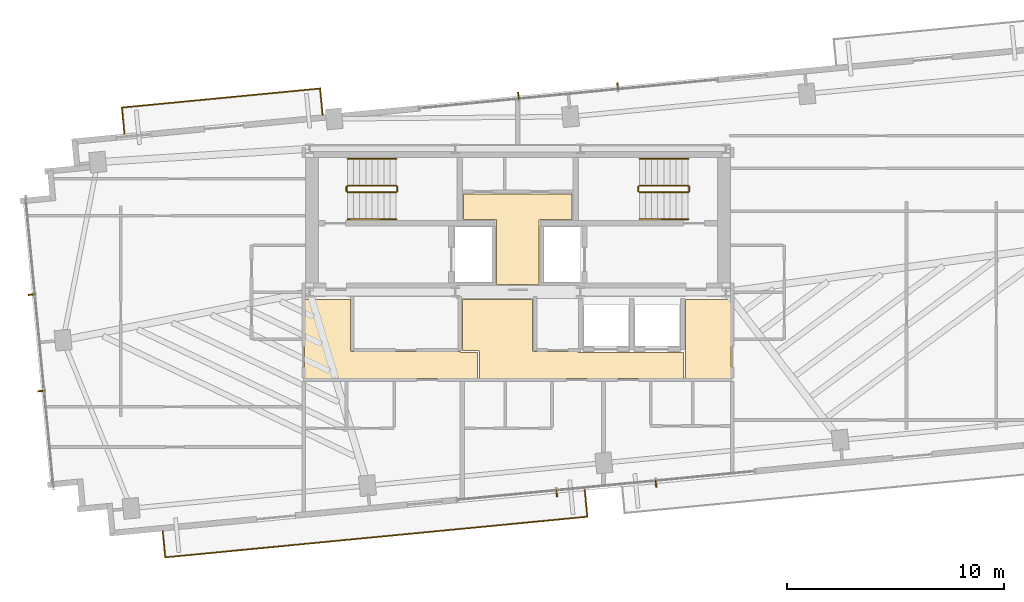
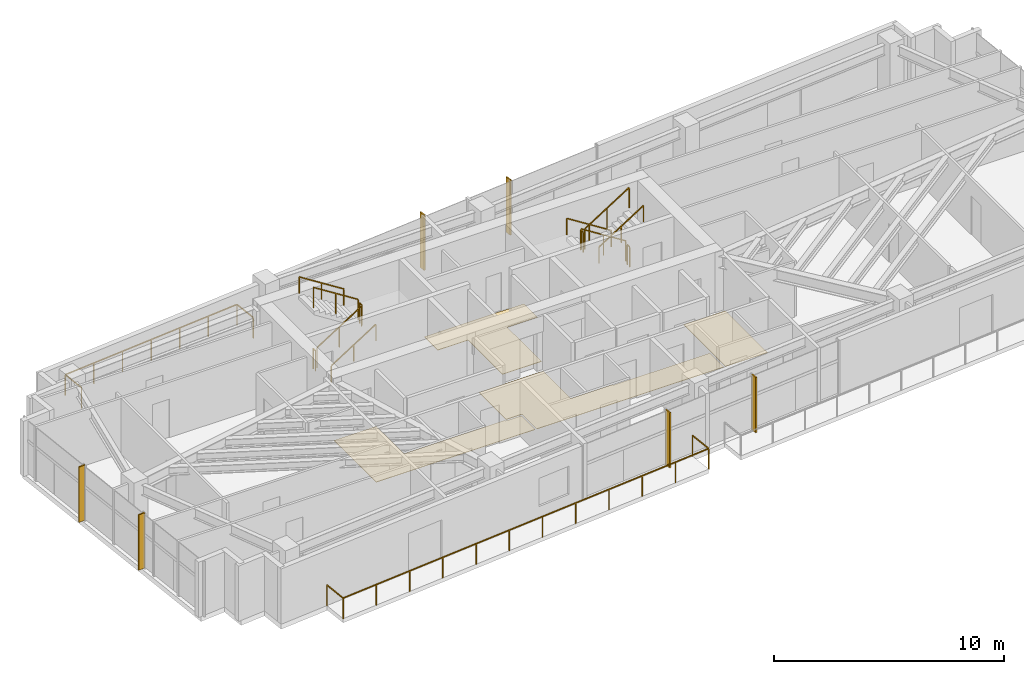
# One storey, part 17 of 18: 14 railings, 6 shading devices, 4 coverings.
"""IFC4 building model written with IfcOpenShell, lengths in metres."""

from ifc_helpers import new_model, si_unit, direction, frame, origin, origin_2d, place, context, subcontext, project, spatial, polyline, rectangle, outline, extrude, source, transform, mapped, material, layer, layer_set, type_object, type_shapes, element, save


model = new_model("IFC4")

# Units and contexts
model_context = context("Model", 3, precision=1e-05, world=origin(), true_north=direction((0.0, 1.0)))
body_context = subcontext(model_context, "Body", "Model", "MODEL_VIEW")
ifc_project = project(units=[si_unit("LENGTHUNIT", "METRE"), si_unit("AREAUNIT", "SQUARE_METRE"), si_unit("VOLUMEUNIT", "CUBIC_METRE"), si_unit("PLANEANGLEUNIT", "RADIAN"), si_unit("MASSUNIT", "GRAM", prefix="KILO")], contexts=[model_context])

# Site, building, storey
site_placement = place(None, origin())
site = spatial("IfcSite", under=ifc_project, at=site_placement, CompositionType="ELEMENT")
building_placement = place(site_placement, origin())
building = spatial("IfcBuilding", under=site, at=building_placement, Name="Astriad Promenade Condominiums", CompositionType="ELEMENT")
storey_placement = place(building_placement, frame((0.0, 0.0, 195.39990234375)))
storey = spatial("IfcBuildingStorey", under=building, at=storey_placement, Name="L56", CompositionType="ELEMENT", Elevation=195.39990234375)

# Coverings
ifc_material_1 = material(Name="Polished Lakefront Terrazzo Flooring")
ifc_layer = layer(ifc_material_1, 0.02001953125)
ifc_layer_set = layer_set([ifc_layer], Name="Polished Lakefront Terrazzo Flooring")
covering_type = type_object("IfcCoveringType", Name="COV-FLOR-TERRAZZO-20", PredefinedType="FLOORING", material=ifc_layer_set)
covering_1_placement = place(storey_placement, origin())
element("IfcCovering", 1, at=covering_1_placement, inside=storey, type_object=covering_type, Name="FLR-L56-CSL", PredefinedType="FLOORING", context=body_context, shape_type="SweptSolid", body=[
    extrude(outline(polyline([(36.97998046875, 20.699951171875), (36.97998046875, 17.739990234375), (35.02001953125, 17.739990234375), (35.02001953125, 20.699951171875), (35.019775390625, 20.703857421875), (35.019287109375, 20.707763671875), (35.018310546875, 20.711669921875), (35.01708984375, 20.71533203125), (35.015380859375, 20.718994140625), (35.01318359375, 20.72216796875), (35.010986328125, 20.725341796875), (35.00830078125, 20.728271484375), (35.00537109375, 20.73095703125), (35.002197265625, 20.7333984375), (34.998779296875, 20.7353515625), (34.995361328125, 20.737060546875), (34.99169921875, 20.73828125), (34.98779296875, 20.7392578125), (34.98388671875, 20.73974609375), (34.97998046875, 20.739990234375), (33.5, 20.739990234375), (33.5, 21.909912109375), (38.5, 21.909912109375), (38.5, 20.739990234375), (37.02001953125, 20.739990234375), (37.01611328125, 20.73974609375), (37.01220703125, 20.7392578125), (37.00830078125, 20.73828125), (37.004638671875, 20.737060546875), (37.001220703125, 20.7353515625), (36.997802734375, 20.7333984375), (36.99462890625, 20.73095703125), (36.99169921875, 20.728271484375), (36.989013671875, 20.725341796875), (36.98681640625, 20.72216796875), (36.984619140625, 20.718994140625), (36.98291015625, 20.71533203125), (36.981689453125, 20.711669921875), (36.980712890625, 20.707763671875), (36.980224609375, 20.703857421875), (36.97998046875, 20.699951171875)])), origin(), (0.0, 0.0, 1.0), 0.02001953125),
])
covering_2_placement = place(storey_placement, origin())
element("IfcCovering", 2, at=covering_2_placement, inside=storey, type_object=covering_type, Name="FLR-L56-LLB", PredefinedType="FLOORING", context=body_context, shape_type="SweptSolid", body=[
    extrude(outline(polyline([(43.639892578125, 14.610107421875), (43.639892578125, 13.39990234375), (34.239990234375, 13.39990234375), (34.239990234375, 14.64990234375), (34.23974609375, 14.65380859375), (34.2392578125, 14.65771484375), (34.23828125, 14.66162109375), (34.237060546875, 14.665283203125), (34.2353515625, 14.6689453125), (34.2333984375, 14.672119140625), (34.23095703125, 14.67529296875), (34.228271484375, 14.67822265625), (34.225341796875, 14.680908203125), (34.22216796875, 14.683349609375), (34.218994140625, 14.685302734375), (34.21533203125, 14.68701171875), (34.211669921875, 14.688232421875), (34.207763671875, 14.689208984375), (34.203857421875, 14.689697265625), (34.199951171875, 14.68994140625), (33.43994140625, 14.68994140625), (33.43994140625, 17.06005859375), (36.679931640625, 17.06005859375), (36.679931640625, 14.699951171875), (36.68017578125, 14.696044921875), (36.680908203125, 14.692138671875), (36.681640625, 14.6884765625), (36.68310546875, 14.684814453125), (36.684814453125, 14.68115234375), (36.686767578125, 14.677734375), (36.689208984375, 14.674560546875), (36.691650390625, 14.671630859375), (36.694580078125, 14.669189453125), (36.69775390625, 14.666748046875), (36.701171875, 14.664794921875), (36.70458984375, 14.6630859375), (36.70849609375, 14.66162109375), (36.712158203125, 14.660888671875), (36.716064453125, 14.66015625), (36.719970703125, 14.659912109375), (38.760009765625, 14.659912109375), (38.760009765625, 14.64990234375), (38.76025390625, 14.64599609375), (38.7607421875, 14.64208984375), (38.76171875, 14.638427734375), (38.762939453125, 14.634765625), (38.7646484375, 14.631103515625), (38.7666015625, 14.627685546875), (38.76904296875, 14.62451171875), (38.771728515625, 14.62158203125), (38.774658203125, 14.619140625), (38.77783203125, 14.61669921875), (38.781005859375, 14.61474609375), (38.78466796875, 14.613037109375), (38.788330078125, 14.61181640625), (38.792236328125, 14.61083984375), (38.796142578125, 14.610107421875), (38.800048828125, 14.610107421875), (43.639892578125, 14.610107421875)])), origin(), (0.0, 0.0, 1.0), 0.02001953125),
])
covering_3_placement = place(storey_placement, origin())
element("IfcCovering", 3, at=covering_3_placement, inside=storey, type_object=covering_type, Name="FLR-L56-COR-1", PredefinedType="FLOORING", context=body_context, shape_type="SweptSolid", body=[
    extrude(outline(polyline([(43.72998046875, 13.39990234375), (43.72998046875, 14.62353515625), (43.73095703125, 14.62451171875), (43.7333984375, 14.627685546875), (43.7353515625, 14.631103515625), (43.737060546875, 14.634765625), (43.73828125, 14.638427734375), (43.7392578125, 14.64208984375), (43.73974609375, 14.64599609375), (43.739990234375, 14.64990234375), (43.739990234375, 17.06005859375), (45.840087890625, 17.06005859375), (45.840087890625, 13.39990234375), (43.72998046875, 13.39990234375)])), origin(), (0.0, 0.0, 1.0), 0.02001953125),
])
covering_4_placement = place(storey_placement, origin())
element("IfcCovering", 4, at=covering_4_placement, inside=storey, type_object=covering_type, Name="FLR-L56-COR-2", PredefinedType="FLOORING", context=body_context, shape_type="SweptSolid", body=[
    extrude(outline(polyline([(26.159912109375, 13.39990234375), (26.159912109375, 17.06005859375), (28.280029296875, 17.06005859375), (28.280029296875, 14.699951171875), (28.2802734375, 14.696044921875), (28.28076171875, 14.692138671875), (28.28173828125, 14.6884765625), (28.282958984375, 14.684814453125), (28.28466796875, 14.68115234375), (28.28662109375, 14.677734375), (28.2890625, 14.674560546875), (28.291748046875, 14.671630859375), (28.294677734375, 14.669189453125), (28.2978515625, 14.666748046875), (28.301025390625, 14.664794921875), (28.3046875, 14.6630859375), (28.308349609375, 14.66162109375), (28.312255859375, 14.660888671875), (28.316162109375, 14.66015625), (28.320068359375, 14.659912109375), (33.35009765625, 14.659912109375), (33.35009765625, 14.64892578125), (33.35009765625, 14.64501953125), (33.350830078125, 14.64111328125), (33.35107421875, 14.64013671875), (33.351318359375, 14.639404296875), (33.351318359375, 14.638427734375), (33.352294921875, 14.634521484375), (33.353759765625, 14.630859375), (33.3544921875, 14.629150390625), (33.356201171875, 14.6259765625), (33.356689453125, 14.625), (33.35888671875, 14.62158203125), (33.3603515625, 14.61962890625), (33.36083984375, 14.618896484375), (33.361083984375, 14.61865234375), (33.361328125, 14.618408203125), (33.361572265625, 14.617919921875), (33.36328125, 14.615966796875), (33.365966796875, 14.61328125), (33.367919921875, 14.611572265625), (33.368408203125, 14.611328125), (33.36865234375, 14.611083984375), (33.368896484375, 14.61083984375), (33.36962890625, 14.6103515625), (33.37158203125, 14.60888671875), (33.375, 14.606689453125), (33.3759765625, 14.606201171875), (33.379150390625, 14.6044921875), (33.3798828125, 14.604248046875), (33.380859375, 14.603759765625), (33.384521484375, 14.602294921875), (33.388427734375, 14.601318359375), (33.389404296875, 14.601318359375), (33.39013671875, 14.60107421875), (33.39111328125, 14.600830078125), (33.39501953125, 14.60009765625), (33.39892578125, 14.60009765625), (34.14990234375, 14.60009765625), (34.14990234375, 13.39990234375), (26.159912109375, 13.39990234375)])), origin(), (0.0, 0.0, 1.0), 0.02001953125),
])

# Shading devices
ifc_material_2 = material(Name="Anodised aluminium 6063-T6 Black Fin", Category="aluminium")
shading_device_type = type_object("IfcShadingDeviceType", Name="FIN-BLACK-260", PredefinedType="USERDEFINED", material=ifc_material_2)
shared_shape_1 = source(origin(), body_context, "Body", "SweptSolid", [
    extrude(rectangle(XDim=0.06494140625, YDim=0.320068359375, at=origin_2d()), origin(), (0.0, 0.0, 1.0), 2.93994140625),
])
type_shapes(shading_device_type, [shared_shape_1])
for number, where, z_axis, x_axis, name in (
    (5, (14.021484375, 12.83203125, 0.000244140625), (0.0, 0.0, 1.0), (-0.09584575252, 0.995396198367, 0.0), "CW-L56-W-FIN-01"),
    (6, (13.59326171875, 17.278076171875, 0.000244140625), (0.0, 0.0, 1.0), (-0.09584575252, 0.995396198367, 0.0), "CW-L56-W-FIN-02"),
    (7, (36.02783203125, 26.447265625, 0.000244140625), (0.0, 0.0, 1.0), (0.995396198367, 0.09584575252, 0.0), "CW-L56-N-FIN-01"),
    (8, (40.606689453125, 26.88818359375, 0.000244140625), (0.0, 0.0, 1.0), (0.995396198367, 0.09584575252, 0.0), "CW-L56-N-FIN-02"),
    (9, (42.3720703125, 8.552734375, 0.000244140625), (0.0, 0.0, 1.0), (-0.995396198367, -0.09584575252, 0.0), "CW-L56-S-FIN-01"),
    (10, (37.793212890625, 8.11181640625, 0.000244140625), (0.0, 0.0, 1.0), (-0.995396198367, -0.09584575252, 0.0), "CW-L56-S-FIN-02"),
):
    element("IfcShadingDevice", number, at=place(storey_placement, frame(where, z_axis=z_axis, x_axis=x_axis)), inside=storey, type_object=shading_device_type, Name=name, ObjectType="FIN", PredefinedType="USERDEFINED", context=body_context, shape_type="MappedRepresentation", body=[
        mapped(shared_shape_1, transform((0.0, 0.0, 0.0), scale=1.0)),
    ])

# Railings
ifc_material_3 = material(Name="Laminated Glass and Stainless Steel Balustrade", Category="steel")
railing_type_1 = type_object("IfcRailingType", Name="GRD-BALC-1120", PredefinedType="BALUSTRADE", material=ifc_material_3)
shared_shape_2 = source(origin(), body_context, "Body", "SweptSolid", [
    extrude(rectangle(XDim=0.048095703125, YDim=0.048095703125, at=origin_2d()), frame((0.0, 0.0, 1.09619140625), z_axis=(0.095876405589, -0.995393246336, 0.0), x_axis=(0.995393246336, 0.095876405589, 0.0)), (0.0, 0.0, 1.0), 1.2197265625),
    extrude(rectangle(XDim=0.048095703125, YDim=0.048095703125, at=origin_2d()), frame((0.116943359375, -1.214111328125, 1.09619140625), z_axis=(0.995396877311, 0.09583870116, 0.0), x_axis=(-0.09583870116, 0.995396877311, 0.0)), (0.0, 0.0, 1.0), 19.55908203125),
    extrude(rectangle(XDim=0.048095703125, YDim=0.048095703125, at=origin_2d()), frame((19.5859375, 0.660400390625, 1.09619140625), z_axis=(-0.095857307208, 0.99539508571, 0.0), x_axis=(-0.99539508571, -0.095857307208, 0.0)), (0.0, 0.0, 1.0), 1.219970703125),
    extrude(rectangle(XDim=0.0419921875, YDim=0.0419921875, at=origin_2d()), origin(), (0.0, 0.0, 1.0), 1.072021484375),
    extrude(rectangle(XDim=0.0419921875, YDim=0.0419921875, at=origin_2d()), frame((0.116943359375, -1.214111328125, 0.0)), (0.0, 0.0, 1.0), 1.072021484375),
    extrude(rectangle(XDim=0.0419921875, YDim=0.0419921875, at=origin_2d()), frame((1.886962890625, -1.043701171875, 0.0)), (0.0, 0.0, 1.0), 1.072021484375),
    extrude(rectangle(XDim=0.0419921875, YDim=0.0419921875, at=origin_2d()), frame((3.65673828125, -0.873291015625, 0.0)), (0.0, 0.0, 1.0), 1.072021484375),
    extrude(rectangle(XDim=0.0419921875, YDim=0.0419921875, at=origin_2d()), frame((5.4267578125, -0.702880859375, 0.0)), (0.0, 0.0, 1.0), 1.072021484375),
    extrude(rectangle(XDim=0.0419921875, YDim=0.0419921875, at=origin_2d()), frame((7.196533203125, -0.532470703125, 0.0)), (0.0, 0.0, 1.0), 1.072021484375),
    extrude(rectangle(XDim=0.0419921875, YDim=0.0419921875, at=origin_2d()), frame((8.966552734375, -0.362060546875, 0.0)), (0.0, 0.0, 1.0), 1.072021484375),
    extrude(rectangle(XDim=0.0419921875, YDim=0.0419921875, at=origin_2d()), frame((10.736328125, -0.191650390625, 0.0)), (0.0, 0.0, 1.0), 1.072021484375),
    extrude(rectangle(XDim=0.0419921875, YDim=0.0419921875, at=origin_2d()), frame((12.50634765625, -0.021240234375, 0.0)), (0.0, 0.0, 1.0), 1.072021484375),
    extrude(rectangle(XDim=0.0419921875, YDim=0.0419921875, at=origin_2d()), frame((14.276123046875, 0.149169921875, 0.0)), (0.0, 0.0, 1.0), 1.072021484375),
    extrude(rectangle(XDim=0.0419921875, YDim=0.0419921875, at=origin_2d()), frame((16.046142578125, 0.319580078125, 0.0)), (0.0, 0.0, 1.0), 1.072021484375),
    extrude(rectangle(XDim=0.0419921875, YDim=0.0419921875, at=origin_2d()), frame((17.81591796875, 0.489990234375, 0.0)), (0.0, 0.0, 1.0), 1.072021484375),
    extrude(rectangle(XDim=0.0419921875, YDim=0.0419921875, at=origin_2d()), frame((19.5859375, 0.660400390625, 0.0)), (0.0, 0.0, 1.0), 1.072021484375),
    extrude(rectangle(XDim=0.0419921875, YDim=0.0419921875, at=origin_2d()), frame((19.468994140625, 1.874755859375, 0.0)), (0.0, 0.0, 1.0), 1.072021484375),
])
railing_1_placement = place(storey_placement, frame((19.623291015625, 6.372314453125, 0.0)))
element("IfcRailing", 11, at=railing_1_placement, inside=storey, type_object=railing_type_1, Name="GRD-BALC-L56-SW", PredefinedType="BALUSTRADE", context=body_context, shape_type="MappedRepresentation", body=[
    mapped(shared_shape_2, transform((0.0, 0.0, 0.0), scale=1.0)),
])
shared_shape_3 = source(origin(), body_context, "Body", "SweptSolid", [
    extrude(rectangle(XDim=0.048095703125, YDim=0.048095703125, at=origin_2d()), frame((0.0, 0.0, 1.09619140625), z_axis=(-0.095857307208, 0.99539508571, 0.0), x_axis=(-0.99539508571, -0.095857307208, 0.0)), (0.0, 0.0, 1.0), 1.219970703125),
    extrude(rectangle(XDim=0.048095703125, YDim=0.048095703125, at=origin_2d()), frame((-0.116943359375, 1.21435546875, 1.09619140625), z_axis=(-0.995396355537, -0.095844120238, 0.0), x_axis=(0.095844120238, -0.995396355537, 0.0)), (0.0, 0.0, 1.0), 9.182861328125),
    extrude(rectangle(XDim=0.048095703125, YDim=0.048095703125, at=origin_2d()), frame((-9.257568359375, 0.334228515625, 1.09619140625), z_axis=(0.095857307208, -0.99539508571, 0.0), x_axis=(0.99539508571, 0.095857307208, 0.0)), (0.0, 0.0, 1.0), 1.219970703125),
    extrude(rectangle(XDim=0.0419921875, YDim=0.0419921875, at=origin_2d()), origin(), (0.0, 0.0, 1.0), 1.072021484375),
    extrude(rectangle(XDim=0.0419921875, YDim=0.0419921875, at=origin_2d()), frame((-0.116943359375, 1.21435546875, 0.0)), (0.0, 0.0, 1.0), 1.072021484375),
    extrude(rectangle(XDim=0.0419921875, YDim=0.0419921875, at=origin_2d()), frame((-1.640380859375, 1.067626953125, 0.0)), (0.0, 0.0, 1.0), 1.072021484375),
    extrude(rectangle(XDim=0.0419921875, YDim=0.0419921875, at=origin_2d()), frame((-3.163818359375, 0.9208984375, 0.0)), (0.0, 0.0, 1.0), 1.072021484375),
    extrude(rectangle(XDim=0.0419921875, YDim=0.0419921875, at=origin_2d()), frame((-4.687255859375, 0.7744140625, 0.0)), (0.0, 0.0, 1.0), 1.072021484375),
    extrude(rectangle(XDim=0.0419921875, YDim=0.0419921875, at=origin_2d()), frame((-6.210693359375, 0.627685546875, 0.0)), (0.0, 0.0, 1.0), 1.072021484375),
    extrude(rectangle(XDim=0.0419921875, YDim=0.0419921875, at=origin_2d()), frame((-7.734130859375, 0.48095703125, 0.0)), (0.0, 0.0, 1.0), 1.072021484375),
    extrude(rectangle(XDim=0.0419921875, YDim=0.0419921875, at=origin_2d()), frame((-9.257568359375, 0.334228515625, 0.0)), (0.0, 0.0, 1.0), 1.072021484375),
    extrude(rectangle(XDim=0.0419921875, YDim=0.0419921875, at=origin_2d()), frame((-9.140625, -0.880126953125, 0.0)), (0.0, 0.0, 1.0), 1.072021484375),
])
type_shapes(railing_type_1, [shared_shape_2, shared_shape_3])
railing_2_placement = place(storey_placement, frame((27.00048828125, 25.56787109375, 0.0)))
element("IfcRailing", 12, at=railing_2_placement, inside=storey, type_object=railing_type_1, Name="GRD-BALC-L56-NW", PredefinedType="BALUSTRADE", context=body_context, shape_type="MappedRepresentation", body=[
    mapped(shared_shape_3, transform((0.0, 0.0, 0.0), scale=1.0)),
])
ifc_material_4 = material(Name="Painted Galvanised Steel Guardrail", Category="steel")
railing_type_2 = type_object("IfcRailingType", Name="GRD-STAIR-1100", PredefinedType="GUARDRAIL", material=ifc_material_4)
shared_shape_4 = source(origin(), body_context, "Body", "SweptSolid", [
    extrude(rectangle(XDim=0.048095703125, YDim=0.048095703125, at=origin_2d()), frame((0.0, 0.0, 1.076171875), z_axis=(0.0, 1.0, 0.0), x_axis=(-1.0, 0.0, 0.0)), (0.0, 0.0, 1.0), 0.199951171875),
    extrude(rectangle(XDim=0.0419921875, YDim=0.0419921875, at=origin_2d()), origin(), (0.0, 0.0, 1.0), 1.052001953125),
    extrude(rectangle(XDim=0.0419921875, YDim=0.0419921875, at=origin_2d()), frame((0.0, 0.199951171875, 0.0)), (0.0, 0.0, 1.0), 1.052001953125),
])
for number, where, name in (
    (13, (30.43994140625, 22.050048828125, 1.60009765625), "L56 ST-1 stair guard 2"),
    (14, (28.10009765625, 22.050048828125, 0.0), "L56 ST-1 stair guard 4"),
):
    element("IfcRailing", number, at=place(storey_placement, frame(where)), inside=storey, type_object=railing_type_2, Name=name, PredefinedType="GUARDRAIL", context=body_context, shape_type="MappedRepresentation", body=[
        mapped(shared_shape_4, transform((0.0, 0.0, 0.0), scale=1.0)),
    ])
shared_shape_5 = source(origin(), body_context, "Body", "SweptSolid", [
    extrude(rectangle(XDim=0.048095703125, YDim=0.048095703125, at=origin_2d()), frame((0.0, 0.0, 1.076171875), z_axis=(0.84418770128, 0.0, 0.536047689118), x_axis=(0.0, 1.0, 0.0)), (0.0, 0.0, 1.0), 2.6533203125),
    extrude(rectangle(XDim=0.0419921875, YDim=0.0419921875, at=origin_2d()), origin(), (0.0, 0.0, 1.0), 1.052001953125),
    extrude(rectangle(XDim=0.0419921875, YDim=0.0419921875, at=origin_2d()), frame((1.1201171875, 0.0, 0.711181640625)), (0.0, 0.0, 1.0), 1.052001953125),
    extrude(rectangle(XDim=0.0419921875, YDim=0.0419921875, at=origin_2d()), frame((2.239990234375, 0.0, 1.42236328125)), (0.0, 0.0, 1.0), 1.052001953125),
])
railing_3_placement = place(storey_placement, frame((41.610107421875, 22.0, 1.77783203125)))
element("IfcRailing", 15, at=railing_3_placement, inside=storey, type_object=railing_type_2, Name="L56 ST-2 stair guard 3", PredefinedType="GUARDRAIL", context=body_context, shape_type="MappedRepresentation", body=[
    mapped(shared_shape_5, transform((0.0, 0.0, 0.0), scale=1.0)),
])
shared_shape_6 = source(origin(), body_context, "Body", "SweptSolid", [
    extrude(rectangle(XDim=0.048095703125, YDim=0.048095703125, at=origin_2d()), frame((0.0, 0.0, 1.076171875), z_axis=(-0.8442293374, 0.0, 0.53598211339), x_axis=(0.0, -1.0, 0.0)), (0.0, 0.0, 1.0), 2.6533203125),
    extrude(rectangle(XDim=0.0419921875, YDim=0.0419921875, at=origin_2d()), origin(), (0.0, 0.0, 1.0), 1.052001953125),
    extrude(rectangle(XDim=0.0419921875, YDim=0.0419921875, at=origin_2d()), frame((-1.1201171875, 0.0, 0.7109375)), (0.0, 0.0, 1.0), 1.052001953125),
    extrude(rectangle(XDim=0.0419921875, YDim=0.0419921875, at=origin_2d()), frame((-2.239990234375, 0.0, 1.422119140625)), (0.0, 0.0, 1.0), 1.052001953125),
])
railing_4_placement = place(storey_placement, frame((43.85009765625, 22.300048828125, 0.177978515625)))
element("IfcRailing", 16, at=railing_4_placement, inside=storey, type_object=railing_type_2, Name="L56 ST-2 stair guard 1", PredefinedType="GUARDRAIL", context=body_context, shape_type="MappedRepresentation", body=[
    mapped(shared_shape_6, transform((0.0, 0.0, 0.0), scale=1.0)),
])
ifc_material_5 = material(Name="Brushed Stainless Steel Handrail", Category="steel")
railing_type_3 = type_object("IfcRailingType", Name="HRL-STAIR-920", PredefinedType="HANDRAIL", material=ifc_material_5)
shared_shape_7 = source(origin(), body_context, "Body", "SweptSolid", [
    extrude(rectangle(XDim=0.048095703125, YDim=0.048095703125, at=origin_2d()), frame((0.0, 0.0, 0.8759765625), z_axis=(0.84418770128, 0.0, 0.536047689118), x_axis=(0.0, 1.0, 0.0)), (0.0, 0.0, 1.0), 2.6533203125),
    extrude(rectangle(XDim=0.0419921875, YDim=0.0419921875, at=origin_2d()), origin(), (0.0, 0.0, 1.0), 0.851806640625),
    extrude(rectangle(XDim=0.0419921875, YDim=0.0419921875, at=origin_2d()), frame((1.1201171875, 0.0, 0.711181640625)), (0.0, 0.0, 1.0), 0.851806640625),
    extrude(rectangle(XDim=0.0419921875, YDim=0.0419921875, at=origin_2d()), frame((2.239990234375, 0.0, 1.42236328125)), (0.0, 0.0, 1.0), 0.851806640625),
])
railing_5_placement = place(storey_placement, frame((41.610107421875, 20.75, 1.77783203125)))
element("IfcRailing", 17, at=railing_5_placement, inside=storey, type_object=railing_type_3, Name="L56 ST-2 stair handrail 2", PredefinedType="HANDRAIL", context=body_context, shape_type="MappedRepresentation", body=[
    mapped(shared_shape_7, transform((0.0, 0.0, 0.0), scale=1.0)),
])
shared_shape_8 = source(origin(), body_context, "Body", "SweptSolid", [
    extrude(rectangle(XDim=0.048095703125, YDim=0.048095703125, at=origin_2d()), frame((0.0, 0.0, 0.8759765625), z_axis=(-0.8442293374, 0.0, 0.53598211339), x_axis=(0.0, -1.0, 0.0)), (0.0, 0.0, 1.0), 2.6533203125),
    extrude(rectangle(XDim=0.0419921875, YDim=0.0419921875, at=origin_2d()), origin(), (0.0, 0.0, 1.0), 0.851806640625),
    extrude(rectangle(XDim=0.0419921875, YDim=0.0419921875, at=origin_2d()), frame((-1.1201171875, 0.0, 0.7109375)), (0.0, 0.0, 1.0), 0.851806640625),
    extrude(rectangle(XDim=0.0419921875, YDim=0.0419921875, at=origin_2d()), frame((-2.239990234375, 0.0, 1.422119140625)), (0.0, 0.0, 1.0), 0.851806640625),
])
railing_6_placement = place(storey_placement, frame((43.85009765625, 23.550048828125, 0.177978515625)))
element("IfcRailing", 18, at=railing_6_placement, inside=storey, type_object=railing_type_3, Name="L56 ST-2 stair handrail 1", PredefinedType="HANDRAIL", context=body_context, shape_type="MappedRepresentation", body=[
    mapped(shared_shape_8, transform((0.0, 0.0, 0.0), scale=1.0)),
])
shared_shape_9 = source(origin(), body_context, "Body", "SweptSolid", [
    extrude(rectangle(XDim=0.048095703125, YDim=0.048095703125, at=origin_2d()), frame((0.0, 0.0, 1.076171875), z_axis=(0.8442293374, 0.0, 0.53598211339), x_axis=(0.0, 1.0, 0.0)), (0.0, 0.0, 1.0), 2.6533203125),
    extrude(rectangle(XDim=0.0419921875, YDim=0.0419921875, at=origin_2d()), origin(), (0.0, 0.0, 1.0), 1.052001953125),
    extrude(rectangle(XDim=0.0419921875, YDim=0.0419921875, at=origin_2d()), frame((1.1201171875, 0.0, 0.7109375)), (0.0, 0.0, 1.0), 1.052001953125),
    extrude(rectangle(XDim=0.0419921875, YDim=0.0419921875, at=origin_2d()), frame((2.239990234375, 0.0, 1.422119140625)), (0.0, 0.0, 1.0), 1.052001953125),
])
railing_7_placement = place(storey_placement, frame((28.14990234375, 22.0, 0.177978515625)))
element("IfcRailing", 19, at=railing_7_placement, inside=storey, type_object=railing_type_2, Name="L56 ST-1 stair guard 1", PredefinedType="GUARDRAIL", context=body_context, shape_type="MappedRepresentation", body=[
    mapped(shared_shape_9, transform((0.0, 0.0, 0.0), scale=1.0)),
])
shared_shape_10 = source(origin(), body_context, "Body", "SweptSolid", [
    extrude(rectangle(XDim=0.048095703125, YDim=0.048095703125, at=origin_2d()), frame((0.0, 0.0, 1.076171875), z_axis=(-0.84418770128, 0.0, 0.536047689118), x_axis=(0.0, -1.0, 0.0)), (0.0, 0.0, 1.0), 2.6533203125),
    extrude(rectangle(XDim=0.0419921875, YDim=0.0419921875, at=origin_2d()), origin(), (0.0, 0.0, 1.0), 1.052001953125),
    extrude(rectangle(XDim=0.0419921875, YDim=0.0419921875, at=origin_2d()), frame((-1.1201171875, 0.0, 0.711181640625)), (0.0, 0.0, 1.0), 1.052001953125),
    extrude(rectangle(XDim=0.0419921875, YDim=0.0419921875, at=origin_2d()), frame((-2.239990234375, 0.0, 1.42236328125)), (0.0, 0.0, 1.0), 1.052001953125),
])
railing_8_placement = place(storey_placement, frame((30.389892578125, 22.300048828125, 1.77783203125)))
element("IfcRailing", 20, at=railing_8_placement, inside=storey, type_object=railing_type_2, Name="L56 ST-1 stair guard 3", PredefinedType="GUARDRAIL", context=body_context, shape_type="MappedRepresentation", body=[
    mapped(shared_shape_10, transform((0.0, 0.0, 0.0), scale=1.0)),
])
shared_shape_11 = source(origin(), body_context, "Body", "SweptSolid", [
    extrude(rectangle(XDim=0.048095703125, YDim=0.048095703125, at=origin_2d()), frame((0.0, 0.0, 0.8759765625), z_axis=(0.8442293374, 0.0, 0.53598211339), x_axis=(0.0, 1.0, 0.0)), (0.0, 0.0, 1.0), 2.6533203125),
    extrude(rectangle(XDim=0.0419921875, YDim=0.0419921875, at=origin_2d()), origin(), (0.0, 0.0, 1.0), 0.851806640625),
    extrude(rectangle(XDim=0.0419921875, YDim=0.0419921875, at=origin_2d()), frame((1.1201171875, 0.0, 0.7109375)), (0.0, 0.0, 1.0), 0.851806640625),
    extrude(rectangle(XDim=0.0419921875, YDim=0.0419921875, at=origin_2d()), frame((2.239990234375, 0.0, 1.422119140625)), (0.0, 0.0, 1.0), 0.851806640625),
])
railing_9_placement = place(storey_placement, frame((28.14990234375, 20.75, 0.177978515625)))
element("IfcRailing", 21, at=railing_9_placement, inside=storey, type_object=railing_type_3, Name="L56 ST-1 stair handrail 1", PredefinedType="HANDRAIL", context=body_context, shape_type="MappedRepresentation", body=[
    mapped(shared_shape_11, transform((0.0, 0.0, 0.0), scale=1.0)),
])
shared_shape_12 = source(origin(), body_context, "Body", "SweptSolid", [
    extrude(rectangle(XDim=0.048095703125, YDim=0.048095703125, at=origin_2d()), frame((0.0, 0.0, 0.8759765625), z_axis=(-0.84418770128, 0.0, 0.536047689118), x_axis=(0.0, -1.0, 0.0)), (0.0, 0.0, 1.0), 2.6533203125),
    extrude(rectangle(XDim=0.0419921875, YDim=0.0419921875, at=origin_2d()), origin(), (0.0, 0.0, 1.0), 0.851806640625),
    extrude(rectangle(XDim=0.0419921875, YDim=0.0419921875, at=origin_2d()), frame((-1.1201171875, 0.0, 0.711181640625)), (0.0, 0.0, 1.0), 0.851806640625),
    extrude(rectangle(XDim=0.0419921875, YDim=0.0419921875, at=origin_2d()), frame((-2.239990234375, 0.0, 1.42236328125)), (0.0, 0.0, 1.0), 0.851806640625),
])
type_shapes(railing_type_3, [shared_shape_7, shared_shape_8, shared_shape_11, shared_shape_12])
railing_10_placement = place(storey_placement, frame((30.389892578125, 23.550048828125, 1.77783203125)))
element("IfcRailing", 22, at=railing_10_placement, inside=storey, type_object=railing_type_3, Name="L56 ST-1 stair handrail 2", PredefinedType="HANDRAIL", context=body_context, shape_type="MappedRepresentation", body=[
    mapped(shared_shape_12, transform((0.0, 0.0, 0.0), scale=1.0)),
])
shared_shape_13 = source(origin(), body_context, "Body", "SweptSolid", [
    extrude(rectangle(XDim=0.048095703125, YDim=0.048095703125, at=origin_2d()), frame((0.0, 0.0, 1.076171875), z_axis=(0.0, -1.0, 0.0), x_axis=(1.0, 0.0, 0.0)), (0.0, 0.0, 1.0), 0.199951171875),
    extrude(rectangle(XDim=0.0419921875, YDim=0.0419921875, at=origin_2d()), origin(), (0.0, 0.0, 1.0), 1.052001953125),
    extrude(rectangle(XDim=0.0419921875, YDim=0.0419921875, at=origin_2d()), frame((0.0, -0.199951171875, 0.0)), (0.0, 0.0, 1.0), 1.052001953125),
])
type_shapes(railing_type_2, [shared_shape_4, shared_shape_5, shared_shape_6, shared_shape_9, shared_shape_10, shared_shape_13])
for number, where, name in (
    (23, (41.56005859375, 22.25, 1.60009765625), "L56 ST-2 stair guard 2"),
    (24, (43.89990234375, 22.25, 0.0), "L56 ST-2 stair guard 4"),
):
    element("IfcRailing", number, at=place(storey_placement, frame(where)), inside=storey, type_object=railing_type_2, Name=name, PredefinedType="GUARDRAIL", context=body_context, shape_type="MappedRepresentation", body=[
        mapped(shared_shape_13, transform((0.0, 0.0, 0.0), scale=1.0)),
    ])

save(model, "model.ifc")
